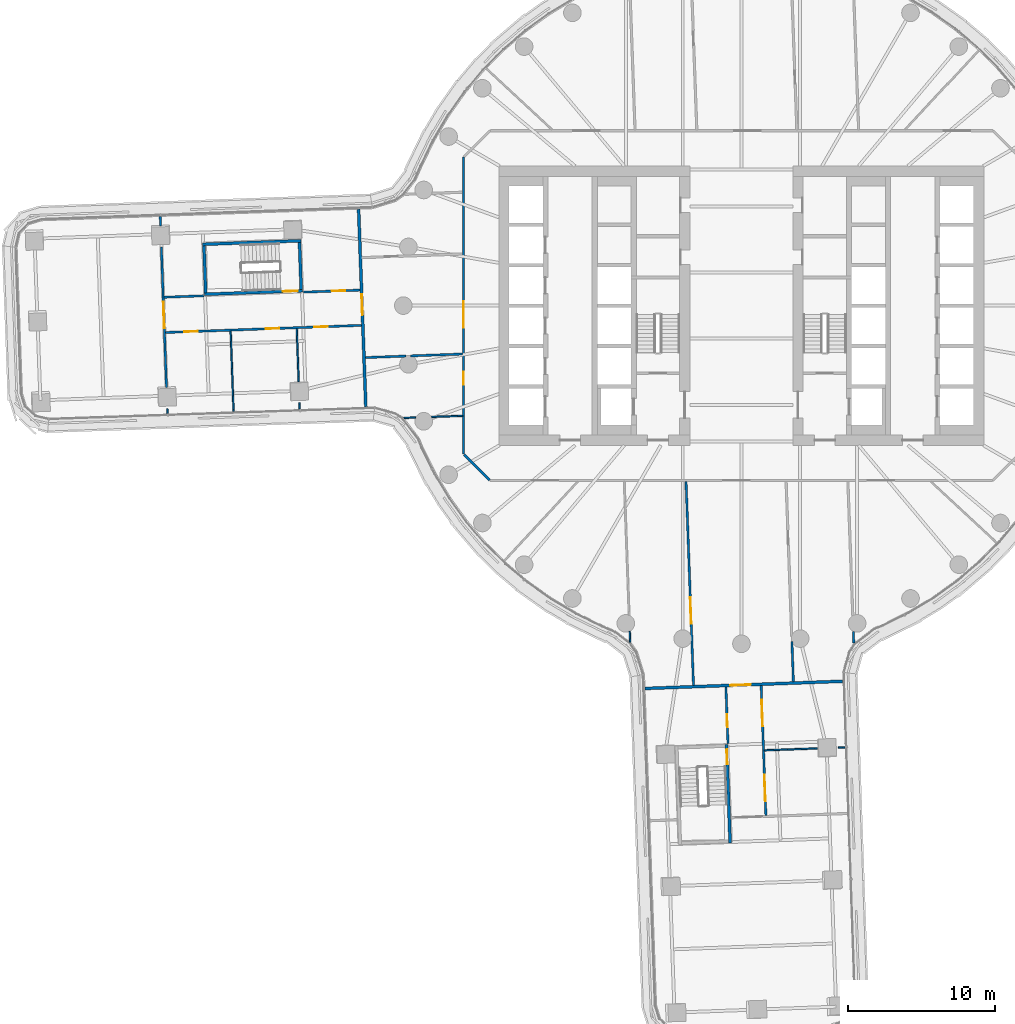
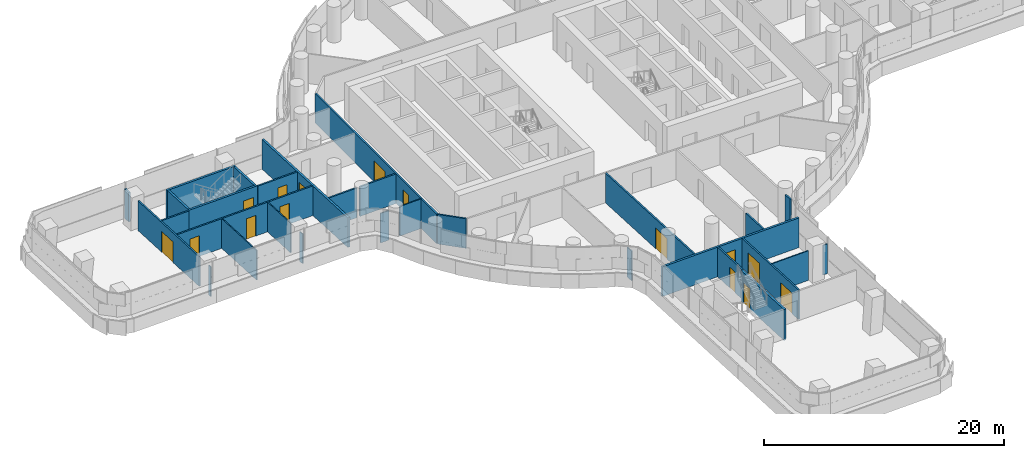
# One storey, part 19 of 31: 30 walls, 15 doors, 15 openings.
"""IFC4 building model written with IfcOpenShell, lengths in metres."""

from ifc_helpers import new_model, si_unit, direction, frame, frame_2d, origin, place, context, subcontext, project, spatial, polyline, rectangle, outline, extrude, material, layer, layer_set, type_object, element, fill, save


model = new_model("IFC4")

# Units and contexts
model_context = context("Model", 3, precision=1e-05, world=origin(), true_north=direction((0.0, 1.0)))
body_context = subcontext(model_context, "Body", "Model", "MODEL_VIEW")
ifc_project = project(units=[si_unit("LENGTHUNIT", "METRE"), si_unit("AREAUNIT", "SQUARE_METRE"), si_unit("VOLUMEUNIT", "CUBIC_METRE"), si_unit("PLANEANGLEUNIT", "RADIAN"), si_unit("MASSUNIT", "GRAM", prefix="KILO")], contexts=[model_context])

# Site, building, storey
site_placement = place(None, origin())
site = spatial("IfcSite", under=ifc_project, at=site_placement, CompositionType="ELEMENT")
building_placement = place(site_placement, origin())
building = spatial("IfcBuilding", under=site, at=building_placement, Name="Tamarind Cross Interchange Tower", CompositionType="ELEMENT")
storey_placement = place(building_placement, frame((0.0, 0.0, 41.5)))
storey = spatial("IfcBuildingStorey", under=building, at=storey_placement, Name="L08", CompositionType="ELEMENT", Elevation=41.5)

# Walls
ifc_material_1 = material(Name="Gypsum board partition on steel studs", Category="steel")
ifc_layer_1 = layer(ifc_material_1, 0.10009765625)
ifc_layer_set_1 = layer_set([ifc_layer_1], Name="Gypsum board partition on steel studs")
wall_type_1 = type_object("IfcWallType", Name="Partition 100 mm EI 90", PredefinedType="PARTITIONING", material=ifc_layer_set_1)
wall_1_placement = place(storey_placement, frame((-39.056396484375, -7.005615234375, 0.0), z_axis=(0.0, 0.0, 1.0), x_axis=(0.036208125755, -0.999344270824, 0.0)))
element("IfcWall", 1, at=wall_1_placement, inside=storey, type_object=wall_type_1, Name="Partition L08-003", PredefinedType="PARTITIONING", context=body_context, shape_type="SweptSolid", body=[
    extrude(rectangle(XDim=0.337158203125, YDim=0.10009765625, at=frame_2d((0.16845703125, 0.0))), origin(), (0.0, 0.0, 1.0), 3.010009765625),
])
wall_2_placement = place(storey_placement, frame((-34.745849609375, -1.72607421875, 0.0), z_axis=(0.0, 0.0, 1.0), x_axis=(0.036583754405, -0.999330590402, 0.0)))
element("IfcWall", 2, at=wall_2_placement, inside=storey, type_object=wall_type_1, Name="Partition L08-004", PredefinedType="PARTITIONING", context=body_context, shape_type="SweptSolid", body=[
    extrude(rectangle(XDim=5.465576171875, YDim=0.10009765625, at=frame_2d((2.73291015625, 0.0))), origin(), (0.0, 0.0, 1.0), 3.010009765625),
])
wall_3_placement = place(storey_placement, frame((-30.248779296875, -1.56201171875, 0.0), z_axis=(0.0, 0.0, 1.0), x_axis=(0.036520471614, -0.999332905069, 0.0)))
element("IfcWall", 3, at=wall_3_placement, inside=storey, type_object=wall_type_1, Name="Partition L08-005", PredefinedType="PARTITIONING", context=body_context, shape_type="SweptSolid", body=[
    extrude(rectangle(XDim=3.603271484375, YDim=0.10009765625, at=frame_2d((1.8017578125, 0.0))), origin(), (0.0, 0.0, 1.0), 3.010009765625),
])
wall_4_placement = place(storey_placement, frame((-30.06494140625, -6.595703125, 0.0), z_axis=(0.0, 0.0, 1.0), x_axis=(0.036228293416, -0.999343539908, 0.0)))
element("IfcWall", 4, at=wall_4_placement, inside=storey, type_object=wall_type_1, Name="Partition L08-006", PredefinedType="PARTITIONING", context=body_context, shape_type="SweptSolid", body=[
    extrude(rectangle(XDim=0.43798828125, YDim=0.10009765625, at=frame_2d((0.218994140625, 0.0))), origin(), (0.0, 0.0, 1.0), 3.010009765625),
])
wall_5_placement = place(storey_placement, frame((-7.599853515625, -22.151611328125, 0.0), z_axis=(0.0, 0.0, 1.0), x_axis=(0.036654245019, -0.999328007374, 0.0)))
element("IfcWall", 5, at=wall_5_placement, inside=storey, type_object=wall_type_1, Name="Partition L08-011", PredefinedType="PARTITIONING", context=body_context, shape_type="SweptSolid", body=[
    extrude(rectangle(XDim=0.732666015625, YDim=0.10009765625, at=frame_2d((0.3662109375, 0.0))), origin(), (0.0, 0.0, 1.0), 3.010009765625),
])
wall_6_placement = place(storey_placement, frame((-22.952880859375, -7.639892578125, 0.0), z_axis=(0.0, 0.0, 1.0), x_axis=(0.999338892628, 0.036356260539, 0.0)))
element("IfcWall", 6, at=wall_6_placement, inside=storey, type_object=wall_type_1, Name="Partition L08-048", PredefinedType="PARTITIONING", context=body_context, shape_type="SweptSolid", body=[
    extrude(rectangle(XDim=0.799072265625, YDim=0.10009765625, at=frame_2d((0.3994140625, 0.0))), origin(), (0.0, 0.0, 1.0), 3.010009765625),
])
wall_7_placement = place(storey_placement, frame((-21.081787109375, -7.57177734375, 0.0), z_axis=(0.0, 0.0, 1.0), x_axis=(0.999331272878, 0.036565106981, 0.0)))
element("IfcWall", 7, at=wall_7_placement, inside=storey, type_object=wall_type_1, Name="Partition L08-049", PredefinedType="PARTITIONING", context=body_context, shape_type="SweptSolid", body=[
    extrude(rectangle(XDim=2.123291015625, YDim=0.10009765625, at=frame_2d((1.0615234375, 0.0))), origin(), (0.0, 0.0, 1.0), 3.010009765625),
])
wall_8_placement = place(storey_placement, frame((1.56201171875, -30.248779296875, 0.0), z_axis=(0.0, 0.0, 1.0), x_axis=(0.999332905069, 0.036520471614, 0.0)))
element("IfcWall", 8, at=wall_8_placement, inside=storey, type_object=wall_type_1, Name="Partition L08-060", PredefinedType="PARTITIONING", context=body_context, shape_type="SweptSolid", body=[
    extrude(rectangle(XDim=3.603271484375, YDim=0.10009765625, at=frame_2d((1.8017578125, 0.0))), origin(), (0.0, 0.0, 1.0), 3.010009765625),
])
wall_9_placement = place(storey_placement, frame((6.595703125, -30.06494140625, 0.0), z_axis=(0.0, 0.0, 1.0), x_axis=(0.999343539908, 0.036228293416, 0.0)))
element("IfcWall", 9, at=wall_9_placement, inside=storey, type_object=wall_type_1, Name="Partition L08-061", PredefinedType="PARTITIONING", context=body_context, shape_type="SweptSolid", body=[
    extrude(rectangle(XDim=0.43798828125, YDim=0.10009765625, at=frame_2d((0.218994140625, 0.0))), origin(), (0.0, 0.0, 1.0), 3.010009765625),
])
ifc_layer_2 = layer(ifc_material_1, 0.14990234375)
ifc_layer_set_2 = layer_set([ifc_layer_2], Name="Gypsum board partition on steel studs")
wall_type_2 = type_object("IfcWallType", Name="Partition 150 mm EI 120", PredefinedType="PARTITIONING", material=ifc_layer_set_2)
wall_10_placement = place(storey_placement, frame((-39.532958984375, 6.063720703125, 0.0), z_axis=(0.0, 0.0, 1.0), x_axis=(0.036556219412, -0.999331598031, 0.0)))
element("IfcWall", 10, at=wall_10_placement, inside=storey, type_object=wall_type_2, Name="Partition L08-001", PredefinedType="PARTITIONING", context=body_context, shape_type="SweptSolid", body=[
    extrude(rectangle(XDim=0.634521484375, YDim=0.14990234375, at=frame_2d((0.3173828125, 0.0))), origin(), (0.0, 0.0, 1.0), 3.010009765625),
])

# Wall, opening, door
wall_11_placement = place(storey_placement, frame((-39.45751953125, 3.99560546875, 0.0), z_axis=(0.0, 0.0, 1.0), x_axis=(0.036435453285, -0.99933600843, 0.0)))
wall_11 = element("IfcWall", 11, at=wall_11_placement, inside=storey, type_object=wall_type_2, Name="Partition L08-002", PredefinedType="PARTITIONING", context=body_context, shape_type="SweptSolid", body=[
    extrude(rectangle(XDim=9.5751953125, YDim=0.14990234375, at=frame_2d((4.78759765625, 0.0))), origin(), (0.0, 0.0, 1.0), 3.010009765625),
])
opening_1_placement = place(wall_11_placement, frame((3.72998046875, 0.0, 0.0)))
opening_1 = element("IfcOpeningElement", 12, at=opening_1_placement, cuts=wall_11, Name="Opening D01", PredefinedType="OPENING", context=body_context, shape_type="SweptSolid", body=[
    extrude(rectangle(XDim=1.800048828125, YDim=2.10009765625, at=frame_2d((0.89990234375, 1.050048828125))), frame((0.0, 0.0849609375, 0.0), z_axis=(0.0, -1.0, 0.0), x_axis=(1.0, 0.0, 0.0)), (0.0, 0.0, 1.0), 0.169921875),
])
ifc_material_2 = material(Name="Fire-resisting door set")
door_type_1 = type_object("IfcDoorType", Name="Interior door 1800 x 2100 FD60S", OperationType="DOUBLE_DOOR_SINGLE_SWING", PredefinedType="DOOR", material=ifc_material_2)
door_1_placement = place(opening_1_placement, origin())
door_1 = element("IfcDoor", 13, at=door_1_placement, inside=storey, type_object=door_type_1, Name="Door D01", OperationType="DOUBLE_DOOR_SINGLE_SWING", OverallHeight=2.10009765625, OverallWidth=1.800048828125, PredefinedType="DOOR", context=body_context, shape_type="SweptSolid", body=[
    extrude(rectangle(XDim=1.800048828125, YDim=2.10009765625, at=frame_2d((0.89990234375, 1.050048828125))), frame((0.0, 0.02490234375, 0.0), z_axis=(0.0, -1.0, 0.0), x_axis=(1.0, 0.0, 0.0)), (0.0, 0.0, 1.0), 0.050048828125),
])
fill(opening_1, door_1)

wall_12_placement = place(storey_placement, frame((-3.768798828125, -11.9599609375, 0.0), z_axis=(0.0, 0.0, 1.0), x_axis=(0.036497070402, -0.999333759988, 0.0)))
wall_12 = element("IfcWall", 14, at=wall_12_placement, inside=storey, type_object=wall_type_2, Name="Partition L08-013", PredefinedType="PARTITIONING", context=body_context, shape_type="SweptSolid", body=[
    extrude(rectangle(XDim=13.88037109375, YDim=0.14990234375, at=frame_2d((6.940185546875, 0.0))), origin(), (0.0, 0.0, 1.0), 3.010009765625),
])
opening_2_placement = place(wall_12_placement, frame((7.889892578125, 0.0, 0.0)))
opening_2 = element("IfcOpeningElement", 15, at=opening_2_placement, cuts=wall_12, Name="Opening D03", PredefinedType="OPENING", context=body_context, shape_type="SweptSolid", body=[
    extrude(rectangle(XDim=1.800048828125, YDim=2.10009765625, at=frame_2d((0.89990234375, 1.050048828125))), frame((0.0, 0.0849609375, 0.0), z_axis=(0.0, -1.0, 0.0), x_axis=(1.0, 0.0, 0.0)), (0.0, 0.0, 1.0), 0.169921875),
])
door_2_placement = place(opening_2_placement, frame((1.800048828125, 0.0, 0.0), z_axis=(0.0, 0.0, 1.0), x_axis=(-1.0, 0.0, 0.0)))
door_2 = element("IfcDoor", 16, at=door_2_placement, inside=storey, type_object=door_type_1, Name="Door D03", OperationType="DOUBLE_DOOR_SINGLE_SWING", OverallHeight=2.10009765625, OverallWidth=1.800048828125, PredefinedType="DOOR", context=body_context, shape_type="SweptSolid", body=[
    extrude(rectangle(XDim=1.800048828125, YDim=2.10009765625, at=frame_2d((0.89990234375, 1.050048828125))), frame((0.0, 0.02490234375, 0.0), z_axis=(0.0, -1.0, 0.0), x_axis=(1.0, 0.0, 0.0)), (0.0, 0.0, 1.0), 0.050048828125),
])
fill(opening_2, door_2)

wall_13_placement = place(storey_placement, frame((-1.0576171875, -25.930908203125, 0.0), z_axis=(0.0, 0.0, 1.0), x_axis=(0.036580108542, -0.999330723864, 0.0)))
wall_13 = element("IfcWall", 17, at=wall_13_placement, inside=storey, type_object=wall_type_2, Name="Partition L08-017", PredefinedType="PARTITIONING", context=body_context, shape_type="SweptSolid", body=[
    extrude(rectangle(XDim=3.87109375, YDim=0.14990234375, at=frame_2d((1.935546875, 0.0))), origin(), (0.0, 0.0, 1.0), 3.010009765625),
])
opening_3_placement = place(wall_13_placement, frame((1.860107421875, 0.0, 0.0)))
opening_3 = element("IfcOpeningElement", 18, at=opening_3_placement, cuts=wall_13, Name="Opening D07", PredefinedType="OPENING", context=body_context, shape_type="SweptSolid", body=[
    extrude(rectangle(XDim=0.89990234375, YDim=2.10009765625, at=frame_2d((0.449951171875, 1.050048828125))), frame((0.0, 0.0849609375, 0.0), z_axis=(0.0, -1.0, 0.0), x_axis=(1.0, 0.0, 0.0)), (0.0, 0.0, 1.0), 0.169921875),
])
door_type_2 = type_object("IfcDoorType", Name="Interior door 900 x 2100 FD60S", OperationType="SINGLE_SWING_LEFT", PredefinedType="DOOR", material=ifc_material_2)
door_3_placement = place(opening_3_placement, frame((0.89990234375, 0.0, 0.0), z_axis=(0.0, 0.0, 1.0), x_axis=(-1.0, 0.0, 0.0)))
door_3 = element("IfcDoor", 19, at=door_3_placement, inside=storey, type_object=door_type_2, Name="Door D07", OperationType="SINGLE_SWING_RIGHT", OverallHeight=2.10009765625, OverallWidth=0.89990234375, PredefinedType="DOOR", context=body_context, shape_type="SweptSolid", body=[
    extrude(rectangle(XDim=0.89990234375, YDim=2.10009765625, at=frame_2d((0.449951171875, 1.050048828125))), frame((0.0, 0.02490234375, 0.0), z_axis=(0.0, -1.0, 0.0), x_axis=(1.0, 0.0, 0.0)), (0.0, 0.0, 1.0), 0.050048828125),
])
fill(opening_3, door_3)

# Wall, openings, doors
wall_14_placement = place(storey_placement, frame((1.341064453125, -25.8388671875, 0.0), z_axis=(0.0, 0.0, 1.0), x_axis=(0.036441301426, -0.999335795191, 0.0)))
wall_14 = element("IfcWall", 20, at=wall_14_placement, inside=storey, type_object=wall_type_2, Name="Partition L08-020", PredefinedType="PARTITIONING", context=body_context, shape_type="SweptSolid", body=[
    extrude(rectangle(XDim=8.85009765625, YDim=0.14990234375, at=frame_2d((4.425048828125, 0.0))), origin(), (0.0, 0.0, 1.0), 3.010009765625),
])
opening_4_placement = place(wall_14_placement, frame((6.06494140625, 0.0, 0.0)))
opening_4 = element("IfcOpeningElement", 21, at=opening_4_placement, cuts=wall_14, Name="Opening D10", PredefinedType="OPENING", context=body_context, shape_type="SweptSolid", body=[
    extrude(rectangle(XDim=1.800048828125, YDim=2.10009765625, at=frame_2d((0.89990234375, 1.050048828125))), frame((0.0, 0.0849609375, 0.0), z_axis=(0.0, -1.0, 0.0), x_axis=(1.0, 0.0, 0.0)), (0.0, 0.0, 1.0), 0.169921875),
])
opening_5_placement = place(wall_14_placement, frame((0.965087890625, 0.0, 0.0)))
opening_5 = element("IfcOpeningElement", 22, at=opening_5_placement, cuts=wall_14, Name="Opening D11", PredefinedType="OPENING", context=body_context, shape_type="SweptSolid", body=[
    extrude(rectangle(XDim=1.800048828125, YDim=2.10009765625, at=frame_2d((0.89990234375, 1.050048828125))), frame((0.0, 0.0849609375, 0.0), z_axis=(0.0, -1.0, 0.0), x_axis=(1.0, 0.0, 0.0)), (0.0, 0.0, 1.0), 0.169921875),
])
door_4_placement = place(opening_4_placement, origin())
door_4 = element("IfcDoor", 23, at=door_4_placement, inside=storey, type_object=door_type_1, Name="Door D10", OperationType="DOUBLE_DOOR_SINGLE_SWING", OverallHeight=2.10009765625, OverallWidth=1.800048828125, PredefinedType="DOOR", context=body_context, shape_type="SweptSolid", body=[
    extrude(rectangle(XDim=1.800048828125, YDim=2.10009765625, at=frame_2d((0.89990234375, 1.050048828125))), frame((0.0, 0.02490234375, 0.0), z_axis=(0.0, -1.0, 0.0), x_axis=(1.0, 0.0, 0.0)), (0.0, 0.0, 1.0), 0.050048828125),
])
fill(opening_4, door_4)
door_5_placement = place(opening_5_placement, origin())
door_5 = element("IfcDoor", 24, at=door_5_placement, inside=storey, type_object=door_type_1, Name="Door D11", OperationType="DOUBLE_DOOR_SINGLE_SWING", OverallHeight=2.10009765625, OverallWidth=1.800048828125, PredefinedType="DOOR", context=body_context, shape_type="SweptSolid", body=[
    extrude(rectangle(XDim=1.800048828125, YDim=2.10009765625, at=frame_2d((0.89990234375, 1.050048828125))), frame((0.0, 0.02490234375, 0.0), z_axis=(0.0, -1.0, 0.0), x_axis=(1.0, 0.0, 0.0)), (0.0, 0.0, 1.0), 0.050048828125),
])
fill(opening_5, door_5)

# Walls
wall_15_placement = place(storey_placement, frame((3.432373046875, -22.83154296875, 0.0), z_axis=(0.0, 0.0, 1.0), x_axis=(0.036431360723, -0.999336157635, 0.0)))
element("IfcWall", 25, at=wall_15_placement, inside=storey, type_object=wall_type_2, Name="Partition L08-022", PredefinedType="PARTITIONING", context=body_context, shape_type="SweptSolid", body=[
    extrude(rectangle(XDim=2.754150390625, YDim=0.14990234375, at=frame_2d((1.376953125, 0.0))), origin(), (0.0, 0.0, 1.0), 3.010009765625),
])
wall_16_placement = place(storey_placement, frame((7.61083984375, -22.154296875, 0.0), z_axis=(0.0, 0.0, 1.0), x_axis=(0.036356260539, -0.999338892628, 0.0)))
element("IfcWall", 26, at=wall_16_placement, inside=storey, type_object=wall_type_2, Name="Partition L08-027", PredefinedType="PARTITIONING", context=body_context, shape_type="SweptSolid", body=[
    extrude(rectangle(XDim=0.799072265625, YDim=0.14990234375, at=frame_2d((0.3994140625, 0.0))), origin(), (0.0, 0.0, 1.0), 3.010009765625),
])
wall_17_placement = place(storey_placement, frame((-18.87158203125, -10.12841796875, 0.0), z_axis=(0.0, 0.0, 1.0), x_axis=(0.707106781187, -0.707106781187, 0.0)))
element("IfcWall", 27, at=wall_17_placement, inside=storey, type_object=wall_type_2, Name="Partition L08-036", PredefinedType="PARTITIONING", context=body_context, shape_type="SweptSolid", body=[
    extrude(rectangle(XDim=2.465087890625, YDim=0.14990234375, at=frame_2d((1.232421875, 0.0))), origin(), (0.0, 0.0, 1.0), 3.010009765625),
])
wall_18_placement = place(storey_placement, frame((-39.27197265625, 0.5703125, 0.0), z_axis=(0.0, 0.0, 1.0), x_axis=(0.999335610803, 0.03644635757, 0.0)))
element("IfcWall", 28, at=wall_18_placement, inside=storey, type_object=wall_type_2, Name="Partition L08-042", PredefinedType="PARTITIONING", context=body_context, shape_type="SweptSolid", body=[
    extrude(rectangle(XDim=2.699462890625, YDim=0.14990234375, at=frame_2d((1.349609375, 0.0))), origin(), (0.0, 0.0, 1.0), 3.010009765625),
])

# Wall, opening, door
wall_19_placement = place(storey_placement, frame((-29.79931640625, 0.916259765625, 0.0), z_axis=(0.0, 0.0, 1.0), x_axis=(0.999333027417, 0.036517123564, 0.0)))
wall_19 = element("IfcWall", 29, at=wall_19_placement, inside=storey, type_object=wall_type_2, Name="Partition L08-043", PredefinedType="PARTITIONING", context=body_context, shape_type="SweptSolid", body=[
    extrude(rectangle(XDim=3.87109375, YDim=0.14990234375, at=frame_2d((1.935546875, 0.0))), origin(), (0.0, 0.0, 1.0), 3.010009765625),
])
opening_6_placement = place(wall_19_placement, frame((1.949951171875, 0.0, 0.0)))
opening_6 = element("IfcOpeningElement", 30, at=opening_6_placement, cuts=wall_19, Name="Opening D22", PredefinedType="OPENING", context=body_context, shape_type="SweptSolid", body=[
    extrude(rectangle(XDim=0.89990234375, YDim=2.10009765625, at=frame_2d((0.449951171875, 1.050048828125))), frame((0.0, 0.0849609375, 0.0), z_axis=(0.0, -1.0, 0.0), x_axis=(1.0, 0.0, 0.0)), (0.0, 0.0, 1.0), 0.169921875),
])
door_6_placement = place(opening_6_placement, origin())
door_6 = element("IfcDoor", 31, at=door_6_placement, inside=storey, type_object=door_type_2, Name="Door D22", OperationType="SINGLE_SWING_LEFT", OverallHeight=2.10009765625, OverallWidth=0.89990234375, PredefinedType="DOOR", context=body_context, shape_type="SweptSolid", body=[
    extrude(rectangle(XDim=0.89990234375, YDim=2.10009765625, at=frame_2d((0.449951171875, 1.050048828125))), frame((0.0, 0.02490234375, 0.0), z_axis=(0.0, -1.0, 0.0), x_axis=(1.0, 0.0, 0.0)), (0.0, 0.0, 1.0), 0.050048828125),
])
fill(opening_6, door_6)

# Wall, openings, doors
wall_20_placement = place(storey_placement, frame((-39.179931640625, -1.82763671875, 0.0), z_axis=(0.0, 0.0, 1.0), x_axis=(0.999335567703, 0.036447539325, 0.0)))
wall_20 = element("IfcWall", 32, at=wall_20_placement, inside=storey, type_object=wall_type_2, Name="Partition L08-044", PredefinedType="PARTITIONING", context=body_context, shape_type="SweptSolid", body=[
    extrude(rectangle(XDim=13.349853515625, YDim=0.14990234375, at=frame_2d((6.6748046875, 0.0))), origin(), (0.0, 0.0, 1.0), 3.010009765625),
])
opening_7_placement = place(wall_20_placement, frame((10.135009765625, 0.0, 0.0)))
opening_7 = element("IfcOpeningElement", 33, at=opening_7_placement, cuts=wall_20, Name="Opening D23", PredefinedType="OPENING", context=body_context, shape_type="SweptSolid", body=[
    extrude(rectangle(XDim=0.89990234375, YDim=2.10009765625, at=frame_2d((0.449951171875, 1.050048828125))), frame((0.0, 0.0849609375, 0.0), z_axis=(0.0, -1.0, 0.0), x_axis=(1.0, 0.0, 0.0)), (0.0, 0.0, 1.0), 0.169921875),
])
opening_8_placement = place(wall_20_placement, frame((6.8349609375, 0.0, 0.0)))
opening_8 = element("IfcOpeningElement", 34, at=opening_8_placement, cuts=wall_20, Name="Opening D24", PredefinedType="OPENING", context=body_context, shape_type="SweptSolid", body=[
    extrude(rectangle(XDim=0.89990234375, YDim=2.10009765625, at=frame_2d((0.449951171875, 1.050048828125))), frame((0.0, 0.0849609375, 0.0), z_axis=(0.0, -1.0, 0.0), x_axis=(1.0, 0.0, 0.0)), (0.0, 0.0, 1.0), 0.169921875),
])
opening_9_placement = place(wall_20_placement, frame((1.284912109375, 0.0, 0.0)))
opening_9 = element("IfcOpeningElement", 35, at=opening_9_placement, cuts=wall_20, Name="Opening D25", PredefinedType="OPENING", context=body_context, shape_type="SweptSolid", body=[
    extrude(rectangle(XDim=0.89990234375, YDim=2.10009765625, at=frame_2d((0.449951171875, 1.050048828125))), frame((0.0, 0.0849609375, 0.0), z_axis=(0.0, -1.0, 0.0), x_axis=(1.0, 0.0, 0.0)), (0.0, 0.0, 1.0), 0.169921875),
])
door_7_placement = place(opening_7_placement, frame((0.89990234375, 0.0, 0.0), z_axis=(0.0, 0.0, 1.0), x_axis=(-1.0, 0.0, 0.0)))
door_7 = element("IfcDoor", 36, at=door_7_placement, inside=storey, type_object=door_type_2, Name="Door D23", OperationType="SINGLE_SWING_RIGHT", OverallHeight=2.10009765625, OverallWidth=0.89990234375, PredefinedType="DOOR", context=body_context, shape_type="SweptSolid", body=[
    extrude(rectangle(XDim=0.89990234375, YDim=2.10009765625, at=frame_2d((0.449951171875, 1.050048828125))), frame((0.0, 0.02490234375, 0.0), z_axis=(0.0, -1.0, 0.0), x_axis=(1.0, 0.0, 0.0)), (0.0, 0.0, 1.0), 0.050048828125),
])
fill(opening_7, door_7)
door_8_placement = place(opening_8_placement, frame((0.89990234375, 0.0, 0.0), z_axis=(0.0, 0.0, 1.0), x_axis=(-1.0, 0.0, 0.0)))
door_8 = element("IfcDoor", 37, at=door_8_placement, inside=storey, type_object=door_type_2, Name="Door D24", OperationType="SINGLE_SWING_RIGHT", OverallHeight=2.10009765625, OverallWidth=0.89990234375, PredefinedType="DOOR", context=body_context, shape_type="SweptSolid", body=[
    extrude(rectangle(XDim=0.89990234375, YDim=2.10009765625, at=frame_2d((0.449951171875, 1.050048828125))), frame((0.0, 0.02490234375, 0.0), z_axis=(0.0, -1.0, 0.0), x_axis=(1.0, 0.0, 0.0)), (0.0, 0.0, 1.0), 0.050048828125),
])
fill(opening_8, door_8)
door_9_placement = place(opening_9_placement, frame((0.89990234375, 0.0, 0.0), z_axis=(0.0, 0.0, 1.0), x_axis=(-1.0, 0.0, 0.0)))
door_9 = element("IfcDoor", 38, at=door_9_placement, inside=storey, type_object=door_type_2, Name="Door D25", OperationType="SINGLE_SWING_LEFT", OverallHeight=2.10009765625, OverallWidth=0.89990234375, PredefinedType="DOOR", context=body_context, shape_type="SweptSolid", body=[
    extrude(rectangle(XDim=0.89990234375, YDim=2.10009765625, at=frame_2d((0.449951171875, 1.050048828125))), frame((0.0, 0.02490234375, 0.0), z_axis=(0.0, -1.0, 0.0), x_axis=(1.0, 0.0, 0.0)), (0.0, 0.0, 1.0), 0.050048828125),
])
fill(opening_9, door_9)

# Walls
wall_21_placement = place(storey_placement, frame((-25.583984375, -3.53271484375, 0.0), z_axis=(0.0, 0.0, 1.0), x_axis=(0.999336275267, 0.036428133848, 0.0)))
element("IfcWall", 39, at=wall_21_placement, inside=storey, type_object=wall_type_2, Name="Partition L08-046", PredefinedType="PARTITIONING", context=body_context, shape_type="SweptSolid", body=[
    extrude(rectangle(XDim=2.75439453125, YDim=0.14990234375, at=frame_2d((1.377197265625, 0.0))), origin(), (0.0, 0.0, 1.0), 3.010009765625),
])
wall_22_placement = place(storey_placement, frame((-22.51318359375, -3.420654296875, 0.0), z_axis=(0.0, 0.0, 1.0), x_axis=(0.999337592386, 0.036391983232, 0.0)))
element("IfcWall", 40, at=wall_22_placement, inside=storey, type_object=wall_type_2, Name="Partition L08-047", PredefinedType="PARTITIONING", context=body_context, shape_type="SweptSolid", body=[
    extrude(rectangle(XDim=3.5556640625, YDim=0.14990234375, at=frame_2d((1.77783203125, 0.0))), origin(), (0.0, 0.0, 1.0), 3.010009765625),
])

# Wall, openings, doors
wall_23_placement = place(storey_placement, frame((-18.89990234375, -10.10009765625, 0.0), z_axis=(0.0, 0.0, 1.0), x_axis=(0.0, 1.0, 0.0)))
wall_23 = element("IfcWall", 41, at=wall_23_placement, inside=storey, type_object=wall_type_2, Name="Partition L08-077", PredefinedType="PARTITIONING", context=body_context, shape_type="SweptSolid", body=[
    extrude(rectangle(XDim=20.2001953125, YDim=0.14990234375, at=frame_2d((10.10009765625, 0.0))), origin(), (0.0, 0.0, 1.0), 3.010009765625),
])
opening_10_placement = place(wall_23_placement, frame((8.611083984375, 0.0, 0.0)))
opening_10 = element("IfcOpeningElement", 42, at=opening_10_placement, cuts=wall_23, Name="Opening D37", PredefinedType="OPENING", context=body_context, shape_type="SweptSolid", body=[
    extrude(rectangle(XDim=1.800048828125, YDim=2.10009765625, at=frame_2d((0.89990234375, 1.050048828125))), frame((0.0, 0.0849609375, 0.0), z_axis=(0.0, -1.0, 0.0), x_axis=(1.0, 0.0, 0.0)), (0.0, 0.0, 1.0), 0.169921875),
])
opening_11_placement = place(wall_23_placement, frame((4.7080078125, 0.0, 0.0)))
opening_11 = element("IfcOpeningElement", 43, at=opening_11_placement, cuts=wall_23, Name="Opening D38", PredefinedType="OPENING", context=body_context, shape_type="SweptSolid", body=[
    extrude(rectangle(XDim=0.89990234375, YDim=2.10009765625, at=frame_2d((0.449951171875, 1.050048828125))), frame((0.0, 0.0849609375, 0.0), z_axis=(0.0, -1.0, 0.0), x_axis=(1.0, 0.0, 0.0)), (0.0, 0.0, 1.0), 0.169921875),
])
door_10_placement = place(opening_10_placement, frame((1.800048828125, 0.0, 0.0), z_axis=(0.0, 0.0, 1.0), x_axis=(-1.0, 0.0, 0.0)))
door_10 = element("IfcDoor", 44, at=door_10_placement, inside=storey, type_object=door_type_1, Name="Door D37", OperationType="DOUBLE_DOOR_SINGLE_SWING", OverallHeight=2.10009765625, OverallWidth=1.800048828125, PredefinedType="DOOR", context=body_context, shape_type="SweptSolid", body=[
    extrude(rectangle(XDim=1.800048828125, YDim=2.10009765625, at=frame_2d((0.89990234375, 1.050048828125))), frame((0.0, 0.02490234375, 0.0), z_axis=(0.0, -1.0, 0.0), x_axis=(1.0, 0.0, 0.0)), (0.0, 0.0, 1.0), 0.050048828125),
])
fill(opening_10, door_10)
door_11_placement = place(opening_11_placement, origin())
door_11 = element("IfcDoor", 45, at=door_11_placement, inside=storey, type_object=door_type_2, Name="Door D38", OperationType="SINGLE_SWING_RIGHT", OverallHeight=2.10009765625, OverallWidth=0.89990234375, PredefinedType="DOOR", context=body_context, shape_type="SweptSolid", body=[
    extrude(rectangle(XDim=0.89990234375, YDim=2.10009765625, at=frame_2d((0.449951171875, 1.050048828125))), frame((0.0, 0.02490234375, 0.0), z_axis=(0.0, -1.0, 0.0), x_axis=(1.0, 0.0, 0.0)), (0.0, 0.0, 1.0), 0.050048828125),
])
fill(opening_11, door_11)

# Wall, opening, door
ifc_layer_3 = layer(ifc_material_1, 0.199951171875)
ifc_layer_set_3 = layer_set([ifc_layer_3], Name="Gypsum board partition on steel studs")
wall_type_3 = type_object("IfcWallType", Name="Partition 200 mm EI 180", PredefinedType="PARTITIONING", material=ifc_layer_set_3)
wall_24_placement = place(storey_placement, frame((-26.0419921875, 6.555908203125, 0.0), z_axis=(0.0, 0.0, 1.0), x_axis=(0.036556261312, -0.999331596498, 0.0)))
wall_24 = element("IfcWall", 46, at=wall_24_placement, inside=storey, type_object=wall_type_3, Name="Partition L08-007", PredefinedType="PARTITIONING", context=body_context, shape_type="SweptSolid", body=[
    extrude(rectangle(XDim=13.44384765625, YDim=0.199951171875, at=frame_2d((6.721923828125, 0.0))), origin(), (0.0, 0.0, 1.0), 3.010009765625),
])
opening_12_placement = place(wall_24_placement, frame((5.798583984375, 0.0, 0.0)))
opening_12 = element("IfcOpeningElement", 47, at=opening_12_placement, cuts=wall_24, Name="Opening D02", PredefinedType="OPENING", context=body_context, shape_type="SweptSolid", body=[
    extrude(rectangle(XDim=1.39990234375, YDim=2.10009765625, at=frame_2d((0.699951171875, 1.050048828125))), frame((0.0, 0.10986328125, 0.0), z_axis=(0.0, -1.0, 0.0), x_axis=(1.0, 0.0, 0.0)), (0.0, 0.0, 1.0), 0.219970703125),
])
door_type_3 = type_object("IfcDoorType", Name="Interior door 1400 x 2100 FD120S", OperationType="DOUBLE_DOOR_SINGLE_SWING", PredefinedType="DOOR", material=ifc_material_2)
door_12_placement = place(opening_12_placement, origin())
door_12 = element("IfcDoor", 48, at=door_12_placement, inside=storey, type_object=door_type_3, Name="Door D02", OperationType="DOUBLE_DOOR_SINGLE_SWING", OverallHeight=2.10009765625, OverallWidth=1.39990234375, PredefinedType="DOOR", context=body_context, shape_type="SweptSolid", body=[
    extrude(rectangle(XDim=1.39990234375, YDim=2.10009765625, at=frame_2d((0.699951171875, 1.050048828125))), frame((0.0, 0.02490234375, 0.0), z_axis=(0.0, -1.0, 0.0), x_axis=(1.0, 0.0, 0.0)), (0.0, 0.0, 1.0), 0.050048828125),
])
fill(opening_12, door_12)

wall_25_placement = place(storey_placement, frame((-6.555908203125, -26.0419921875, 0.0), z_axis=(0.0, 0.0, 1.0), x_axis=(0.999331596498, 0.036556261312, 0.0)))
wall_25 = element("IfcWall", 49, at=wall_25_placement, inside=storey, type_object=wall_type_3, Name="Partition L08-055", PredefinedType="PARTITIONING", context=body_context, shape_type="SweptSolid", body=[
    extrude(rectangle(XDim=13.44384765625, YDim=0.199951171875, at=frame_2d((6.721923828125, 0.0))), origin(), (0.0, 0.0, 1.0), 3.010009765625),
])
opening_13_placement = place(wall_25_placement, frame((5.798583984375, 0.0, 0.0)))
opening_13 = element("IfcOpeningElement", 50, at=opening_13_placement, cuts=wall_25, Name="Opening D30", PredefinedType="OPENING", context=body_context, shape_type="SweptSolid", body=[
    extrude(rectangle(XDim=1.39990234375, YDim=2.10009765625, at=frame_2d((0.699951171875, 1.050048828125))), frame((0.0, 0.10986328125, 0.0), z_axis=(0.0, -1.0, 0.0), x_axis=(1.0, 0.0, 0.0)), (0.0, 0.0, 1.0), 0.219970703125),
])
door_13_placement = place(opening_13_placement, origin())
door_13 = element("IfcDoor", 51, at=door_13_placement, inside=storey, type_object=door_type_3, Name="Door D30", OperationType="DOUBLE_DOOR_SINGLE_SWING", OverallHeight=2.10009765625, OverallWidth=1.39990234375, PredefinedType="DOOR", context=body_context, shape_type="SweptSolid", body=[
    extrude(rectangle(XDim=1.39990234375, YDim=2.10009765625, at=frame_2d((0.699951171875, 1.050048828125))), frame((0.0, 0.02490234375, 0.0), z_axis=(0.0, -1.0, 0.0), x_axis=(1.0, 0.0, 0.0)), (0.0, 0.0, 1.0), 0.050048828125),
])
fill(opening_13, door_13)

ifc_material_3 = material(Name="Concrete C40", Category="concrete")
ifc_layer_4 = layer(ifc_material_3, 0.199951171875)
ifc_layer_set_4 = layer_set([ifc_layer_4], Name="Concrete C40")
wall_type_4 = type_object("IfcWallType", Name="Stair shaft wall 200 mm Concrete C40", PredefinedType="SHEAR", material=ifc_layer_set_4)
wall_26_placement = place(storey_placement, frame((-29.84228515625, 1.0146484375, -0.139892578125), z_axis=(0.0, 0.0, 1.0), x_axis=(-0.999335884019, -0.036438865415, 0.0)))
wall_26 = element("IfcWall", 52, at=wall_26_placement, inside=storey, type_object=wall_type_4, Name="Core wall CWL-L08-ST5-H", PredefinedType="SHEAR", context=body_context, shape_type="SweptSolid", body=[
    extrude(rectangle(XDim=6.699951171875, YDim=0.199951171875, at=frame_2d((3.35009765625, 0.0))), origin(), (0.0, 0.0, 1.0), 3.14990234375),
])
opening_14_placement = place(wall_26_placement, frame((0.35009765625, 0.0, 0.0)))
opening_14 = element("IfcOpeningElement", 53, at=opening_14_placement, cuts=wall_26, Name="Opening ST5L08", PredefinedType="OPENING", context=body_context, shape_type="SweptSolid", body=[
    extrude(rectangle(XDim=1.0, YDim=2.10009765625, at=frame_2d((0.5, 1.050048828125))), frame((0.0, 0.10986328125, 0.0), z_axis=(0.0, -1.0, 0.0), x_axis=(1.0, 0.0, 0.0)), (0.0, 0.0, 1.0), 0.219970703125),
])
ifc_material_4 = material(Name="Steel, fire-resisting", Category="steel")
door_type_4 = type_object("IfcDoorType", Name="Core fire door 1000 x 2100 FD90", OperationType="SINGLE_SWING_LEFT", PredefinedType="DOOR", material=ifc_material_4)
door_14_placement = place(opening_14_placement, origin())
door_14 = element("IfcDoor", 54, at=door_14_placement, inside=storey, type_object=door_type_4, Name="L08 stair door ST5", OperationType="SINGLE_SWING_LEFT", OverallHeight=2.10009765625, OverallWidth=1.0, PredefinedType="DOOR", context=body_context, shape_type="SweptSolid", body=[
    extrude(rectangle(XDim=1.0, YDim=2.10009765625, at=frame_2d((0.5, 1.050048828125))), frame((0.0, 0.02490234375, 0.0), z_axis=(0.0, -1.0, 0.0), x_axis=(1.0, 0.0, 0.0)), (0.0, 0.0, 1.0), 0.050048828125),
])
fill(opening_14, door_14)

# Walls
wall_27_placement = place(storey_placement, frame((-29.96630859375, 4.41259765625, -0.139892578125), z_axis=(0.0, 0.0, 1.0), x_axis=(-0.999334507966, -0.036476584104, 0.0)))
element("IfcWall", 55, at=wall_27_placement, inside=storey, type_object=wall_type_4, Name="Core wall CWL-L08-ST5-C", PredefinedType="SHEAR", context=body_context, shape_type="SweptSolid", body=[
    extrude(rectangle(XDim=6.69970703125, YDim=0.199951171875, at=frame_2d((3.349853515625, 0.0))), origin(), (0.0, 0.0, 1.0), 3.14990234375),
])
wall_28_placement = place(storey_placement, frame((-30.0625, 4.308837890625, -0.139892578125), z_axis=(0.0, 0.0, 1.0), x_axis=(0.036469843671, -0.999334753975, 0.0)))
element("IfcWall", 56, at=wall_28_placement, inside=storey, type_object=wall_type_4, Name="Core wall CWL-L08-ST5-CE", PredefinedType="SHEAR", context=body_context, shape_type="SweptSolid", body=[
    extrude(rectangle(XDim=3.199951171875, YDim=0.199951171875, at=frame_2d((1.60009765625, 0.0))), origin(), (0.0, 0.0, 1.0), 3.14990234375),
])
wall_29_placement = place(storey_placement, frame((0.0, 0.0, -0.139892578125)))
element("IfcWall", 57, at=wall_29_placement, inside=storey, type_object=wall_type_4, Name="Core wall CWL-L08-ST5-CF", PredefinedType="SHEAR", context=body_context, shape_type="SweptSolid", body=[
    extrude(outline(polyline([(-36.458251953125, 4.075439453125), (-36.658203125, 4.068115234375), (-36.54150390625, 0.870361328125), (-36.341552734375, 0.877685546875), (-36.458251953125, 4.075439453125)])), origin(), (0.0, 0.0, 1.0), 3.14990234375),
])

# Wall, opening, door
wall_30_placement = place(storey_placement, frame((-1.0146484375, -29.84228515625, -0.139892578125), z_axis=(0.0, 0.0, 1.0), x_axis=(0.036438865415, -0.999335884019, 0.0)))
wall_30 = element("IfcWall", 58, at=wall_30_placement, inside=storey, type_object=wall_type_4, Name="Core wall CWL-L08-ST6-H", PredefinedType="SHEAR", context=body_context, shape_type="SweptSolid", body=[
    extrude(rectangle(XDim=6.699951171875, YDim=0.199951171875, at=frame_2d((3.35009765625, 0.0))), origin(), (0.0, 0.0, 1.0), 3.14990234375),
])
opening_15_placement = place(wall_30_placement, frame((0.35009765625, 0.0, 0.0)))
opening_15 = element("IfcOpeningElement", 59, at=opening_15_placement, cuts=wall_30, Name="Opening ST6L08", PredefinedType="OPENING", context=body_context, shape_type="SweptSolid", body=[
    extrude(rectangle(XDim=1.0, YDim=2.10009765625, at=frame_2d((0.5, 1.050048828125))), frame((0.0, 0.10986328125, 0.0), z_axis=(0.0, -1.0, 0.0), x_axis=(1.0, 0.0, 0.0)), (0.0, 0.0, 1.0), 0.219970703125),
])
door_15_placement = place(opening_15_placement, origin())
door_15 = element("IfcDoor", 60, at=door_15_placement, inside=storey, type_object=door_type_4, Name="L08 stair door ST6", OperationType="SINGLE_SWING_LEFT", OverallHeight=2.10009765625, OverallWidth=1.0, PredefinedType="DOOR", context=body_context, shape_type="SweptSolid", body=[
    extrude(rectangle(XDim=1.0, YDim=2.10009765625, at=frame_2d((0.5, 1.050048828125))), frame((0.0, 0.02490234375, 0.0), z_axis=(0.0, -1.0, 0.0), x_axis=(1.0, 0.0, 0.0)), (0.0, 0.0, 1.0), 0.050048828125),
])
fill(opening_15, door_15)

save(model, "model.ifc")
